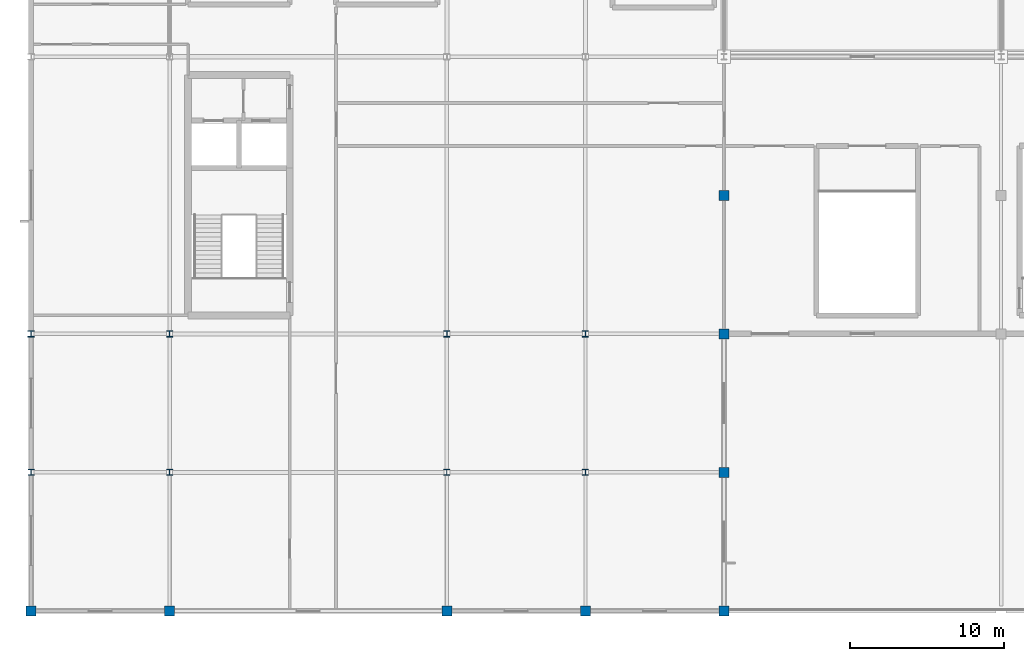
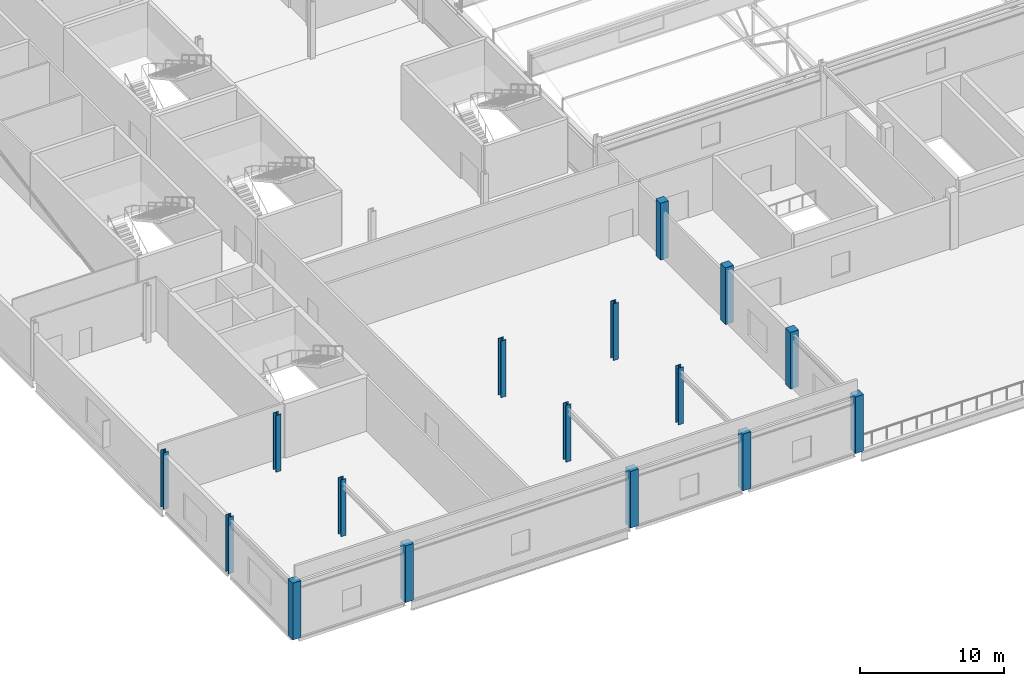
# One storey, part 1 of 136: 16 columns.
"""IFC4 building model written with IfcOpenShell, lengths in metres."""

from ifc_helpers import new_model, si_unit, direction, frame, origin, origin_2d, place, context, subcontext, project, spatial, rectangle, i_section, extrude, material, material_profile, profile_set, type_object, element, save


model = new_model("IFC4")

# Units and contexts
model_context = context("Model", 3, precision=1e-05, world=origin(), true_north=direction((0.0, 1.0)))
body_context = subcontext(model_context, "Body", "Model", "MODEL_VIEW")
ifc_project = project(units=[si_unit("LENGTHUNIT", "METRE"), si_unit("AREAUNIT", "SQUARE_METRE"), si_unit("VOLUMEUNIT", "CUBIC_METRE"), si_unit("PLANEANGLEUNIT", "RADIAN"), si_unit("MASSUNIT", "GRAM", prefix="KILO")], contexts=[model_context])

# Site, building, storey
site_placement = place(None, origin())
site = spatial("IfcSite", under=ifc_project, at=site_placement, CompositionType="ELEMENT")
building_placement = place(site_placement, origin())
building = spatial("IfcBuilding", under=site, at=building_placement, Name="Kisiwana Market Hall", CompositionType="ELEMENT")
storey_placement = place(building_placement, frame((0.0, 0.0, 16.800048828125)))
storey = spatial("IfcBuildingStorey", under=building, at=storey_placement, Name="L03", CompositionType="ELEMENT", Elevation=16.800048828125)

# Columns
ifc_material_1 = material(Name="Concrete C40/50", Category="concrete")
ifc_material_profile_1 = material_profile(ifc_material_1, rectangle(XDim=0.64990234375, YDim=0.64990234375, at=origin_2d()), Name="RC 650x650")
ifc_profile_set_1 = profile_set([ifc_material_profile_1], Name="Concrete C40/50")
column_type_1 = type_object("IfcColumnType", Name="COL-RC-POD-650", PredefinedType="COLUMN", material=ifc_profile_set_1)
for number, where, z_axis, x_axis, name in (
    (1, (0.0, 0.0, 0.0), (0.0, 0.0, 1.0), (1.0, 0.0, 0.0), "Column A/1 (L03) C-0660"),
    (2, (9.0, 0.0, 0.0), (0.0, 0.0, 1.0), (1.0, 0.0, 0.0), "Column A/2 (L03) C-0669"),
    (3, (27.0, 0.0, 0.0), (0.0, 0.0, 1.0), (1.0, 0.0, 0.0), "Column A/4 (L03) C-0677"),
    (4, (36.0, 0.0, 0.0), (0.0, 0.0, 1.0), (1.0, 0.0, 0.0), "Column A/5 (L03) C-0686"),
    (5, (45.0, 0.0, 0.0), (0.0, 0.0, 1.0), (1.0, 0.0, 0.0), "Column A/6 (L03) C-0694"),
    (6, (45.0, 9.0, 0.0), (0.0, 0.0, 1.0), (1.0, 0.0, 0.0), "Column B/6 (L03) C-0695"),
    (7, (45.0, 18.0, 0.0), (0.0, 0.0, 1.0), (1.0, 0.0, 0.0), "Column C/6 (L03) C-0696"),
    (8, (45.0, 27.0, 0.0), (0.0, 0.0, 1.0), (1.0, 0.0, 0.0), "Column D/6 (L03) C-0697"),
):
    element("IfcColumn", number, at=place(storey_placement, frame(where, z_axis=z_axis, x_axis=x_axis)), inside=storey, type_object=column_type_1, Name=name, PredefinedType="COLUMN", context=body_context, shape_type="SweptSolid", body=[
        extrude(rectangle(XDim=0.64990234375, YDim=0.64990234375, at=origin_2d()), origin(), (0.0, 0.0, 1.0), 4.800048828125),
    ])
ifc_material_2 = material(Name="Steel S355", Category="steel")
ifc_material_profile_2 = material_profile(ifc_material_2, i_section(OverallWidth=0.406005859375, OverallDepth=0.416015625, WebThickness=0.02978515625, FlangeThickness=0.048095703125, at=origin_2d()), Name="HD 400x382")
ifc_profile_set_2 = profile_set([ifc_material_profile_2], Name="Steel S355")
column_type_2 = type_object("IfcColumnType", Name="COL-STL-HD382", PredefinedType="COLUMN", material=ifc_profile_set_2)
for number, where, z_axis, x_axis, name in (
    (9, (0.0, 18.0, 0.0), (0.0, 0.0, 1.0), (1.0, 0.0, 0.0), "Column C/1 (L03) C-0662"),
    (10, (9.0, 18.0, 0.0), (0.0, 0.0, 1.0), (1.0, 0.0, 0.0), "Column C/2 (L03) C-0671"),
    (11, (27.0, 18.0, 0.0), (0.0, 0.0, 1.0), (1.0, 0.0, 0.0), "Column C/4 (L03) C-0679"),
    (12, (36.0, 18.0, 0.0), (0.0, 0.0, 1.0), (1.0, 0.0, 0.0), "Column C/5 (L03) C-0688"),
):
    element("IfcColumn", number, at=place(storey_placement, frame(where, z_axis=z_axis, x_axis=x_axis)), inside=storey, type_object=column_type_2, Name=name, PredefinedType="COLUMN", context=body_context, shape_type="SweptSolid", body=[
        extrude(i_section(OverallWidth=0.406005859375, OverallDepth=0.416015625, WebThickness=0.02978515625, FlangeThickness=0.048095703125, at=origin_2d()), origin(), (0.0, 0.0, 1.0), 4.800048828125),
    ])
ifc_material_3 = material(Name="Steel S355", Category="steel")
ifc_material_profile_3 = material_profile(ifc_material_3, i_section(OverallWidth=0.39892578125, OverallDepth=0.3935546875, WebThickness=0.022705078125, FlangeThickness=0.03662109375, at=origin_2d()), Name="UC 356x406x287")
ifc_profile_set_3 = profile_set([ifc_material_profile_3], Name="Steel S355")
column_type_3 = type_object("IfcColumnType", Name="COL-STL-UC287", PredefinedType="COLUMN", material=ifc_profile_set_3)
for number, where, z_axis, x_axis, name in (
    (13, (0.0, 9.0, 0.0), (0.0, 0.0, 1.0), (1.0, 0.0, 0.0), "Column B/1 (L03) C-0661"),
    (14, (9.0, 9.0, 0.0), (0.0, 0.0, 1.0), (1.0, 0.0, 0.0), "Column B/2 (L03) C-0670"),
    (15, (27.0, 9.0, 0.0), (0.0, 0.0, 1.0), (1.0, 0.0, 0.0), "Column B/4 (L03) C-0678"),
    (16, (36.0, 9.0, 0.0), (0.0, 0.0, 1.0), (1.0, 0.0, 0.0), "Column B/5 (L03) C-0687"),
):
    element("IfcColumn", number, at=place(storey_placement, frame(where, z_axis=z_axis, x_axis=x_axis)), inside=storey, type_object=column_type_3, Name=name, PredefinedType="COLUMN", context=body_context, shape_type="SweptSolid", body=[
        extrude(i_section(OverallWidth=0.39892578125, OverallDepth=0.3935546875, WebThickness=0.022705078125, FlangeThickness=0.03662109375, at=origin_2d()), origin(), (0.0, 0.0, 1.0), 4.800048828125),
    ])

save(model, "model.ifc")
